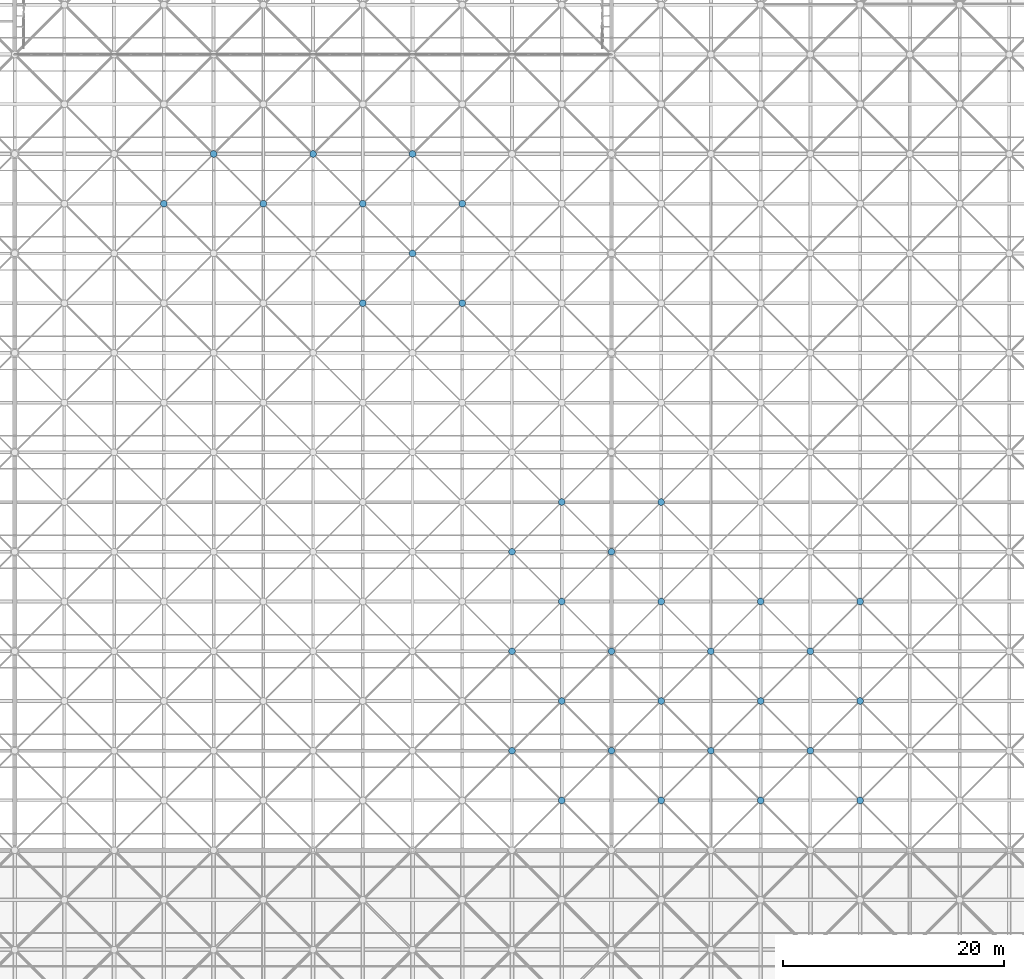
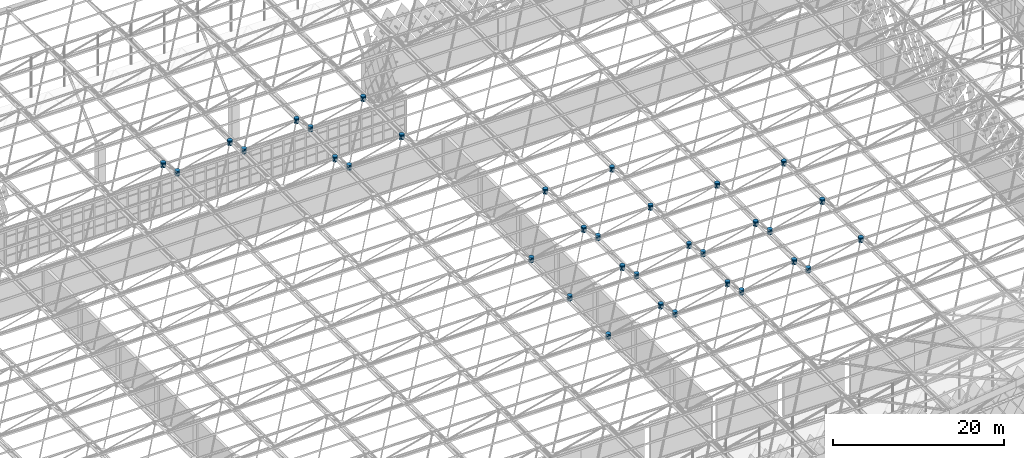
# One storey, part 311 of 437: 34 discrete accessories.
"""IFC4 building model written with IfcOpenShell, lengths in metres."""

import ifcopenshell
import ifcopenshell.guid

model = None  # the IFC model being written
_history = None  # IfcOwnerHistory: only IFC2X3 demands one
_inside = {}  # id of a spatial element -> (the spatial element, [elements in it])
_under = {}  # id of a project, library or spatial element -> (it, [spatial elements below it])
_declared = {}  # id of a project -> (the project, [libraries it declares])
_typed = {}  # id of a type object -> (the type object, [elements of that type])
_made_of = {}  # id of a material, layer set ... -> (it, [elements and type objects made of it])


def new_model(schema):
    """Start an empty IFC model of exactly this schema.

    Asked for "IFC4X3", IfcOpenShell would pick the latest addendum, in which some entities
    have other attributes; the version numbers below select the first issue.
    IFC2X3 requires an IfcOwnerHistory on every rooted entity: one is made here for all.
    """
    global model, _history
    if schema == "IFC4X3":
        model = ifcopenshell.file(schema_version=(4, 3, 0, 0))
    else:
        model = ifcopenshell.file(schema=schema)
    _inside.clear()
    _under.clear()
    _declared.clear()
    _typed.clear()
    _made_of.clear()
    _history = None
    if model.schema == "IFC2X3":
        org = make("IfcOrganization", Name="unknown")
        user = make(
            "IfcPersonAndOrganization",
            ThePerson=make("IfcPerson", FamilyName="unknown"),
            TheOrganization=org,
        )
        app = make(
            "IfcApplication",
            ApplicationDeveloper=org,
            Version="unknown",
            ApplicationFullName="unknown",
            ApplicationIdentifier="unknown",
        )
        _history = make(
            "IfcOwnerHistory",
            OwningUser=user,
            OwningApplication=app,
            ChangeAction="ADDED",
            CreationDate=0,
        )
    return model


def make(cls, **values):
    """One entity of the class cls with the attributes given. An attribute that is None is left unset."""
    return model.create_entity(
        cls, **{name: value for name, value in values.items() if value is not None}
    )


def rooted(cls, **values):
    """An entity with a GlobalId (a new one), such as an element, a storey or a relation."""
    return make(cls, GlobalId=ifcopenshell.guid.new(), OwnerHistory=_history, **values)


def si_unit(unit_type, name, prefix=None):
    """IfcSIUnit, for example si_unit("LENGTHUNIT", "METRE", prefix="MILLI")."""
    return make("IfcSIUnit", UnitType=unit_type, Prefix=prefix, Name=name)


def assignment(units):
    """IfcUnitAssignment: the units of a project."""
    return None if units is None else make("IfcUnitAssignment", Units=units)


def point(xyz):
    """IfcCartesianPoint."""
    return None if xyz is None else make("IfcCartesianPoint", Coordinates=xyz)


def direction(xyz):
    """IfcDirection."""
    return None if xyz is None else make("IfcDirection", DirectionRatios=xyz)


def frame(location, z_axis=None, x_axis=None):
    """IfcAxis2Placement3D, a coordinate frame: its origin and axes. An axis left out is left unset."""
    return make(
        "IfcAxis2Placement3D",
        Location=point(location),
        Axis=direction(z_axis),
        RefDirection=direction(x_axis),
    )


def origin():
    """The frame at (0, 0, 0) with its axes left unset."""
    return frame((0.0, 0.0, 0.0))


def place(relative_to, where):
    """IfcLocalPlacement: puts the frame where relative to a parent placement (None: the world)."""
    return make(
        "IfcLocalPlacement", PlacementRelTo=relative_to, RelativePlacement=where
    )


def context(
    kind, dimensions, precision=None, world=None, true_north=None, identifier=None
):
    """IfcGeometricRepresentationContext, for example the 3D "Model" context."""
    return make(
        "IfcGeometricRepresentationContext",
        ContextIdentifier=identifier,
        ContextType=kind,
        CoordinateSpaceDimension=dimensions,
        Precision=precision,
        WorldCoordinateSystem=world,
        TrueNorth=true_north,
    )


def subcontext(parent, identifier, kind, view, scale=None):
    """IfcGeometricRepresentationSubContext, for example "Body" below "Model"."""
    return make(
        "IfcGeometricRepresentationSubContext",
        ContextIdentifier=identifier,
        ContextType=kind,
        ParentContext=parent,
        TargetScale=scale,
        TargetView=view,
    )


def project(units=None, contexts=None):
    """IfcProject with its units and contexts."""
    return rooted(
        "IfcProject",
        Name="project",
        RepresentationContexts=contexts,
        UnitsInContext=assignment(units),
    )


def spatial(cls, under=None, at=None, **own):
    """A site, building, storey or space (cls), placed at a placement, below another one or the project."""
    s = rooted(cls, ObjectPlacement=at, **own)
    if under is not None:
        _under.setdefault(under.id(), (under, []))[1].append(s)
    return s


def polyline(points):
    """IfcPolyline through the points."""
    return make("IfcPolyline", Points=[point(p) for p in points])


def outline(outer, holes=None, kind="AREA"):
    """IfcArbitraryClosedProfileDef: a profile drawn as a closed curve; with holes, ...WithVoids."""
    if holes is None:
        return make("IfcArbitraryClosedProfileDef", ProfileType=kind, OuterCurve=outer)
    return make(
        "IfcArbitraryProfileDefWithVoids",
        ProfileType=kind,
        OuterCurve=outer,
        InnerCurves=holes,
    )


def extrude(swept, where, along, depth):
    """IfcExtrudedAreaSolid: the profile swept, set in the frame where, extruded along a direction by depth."""
    return make(
        "IfcExtrudedAreaSolid",
        SweptArea=swept,
        Position=where,
        ExtrudedDirection=direction(along),
        Depth=depth,
    )


def shape(context_of_items, identifier, shape_type, items):
    """IfcShapeRepresentation: the items that make up one representation, for example the "Body"."""
    return make(
        "IfcShapeRepresentation",
        ContextOfItems=context_of_items,
        RepresentationIdentifier=identifier,
        RepresentationType=shape_type,
        Items=items,
    )


def material(Name=None, Category=None):
    """IfcMaterial."""
    return make("IfcMaterial", Name=Name, Category=Category)


def made_of(thing, what):
    """Note that an element or type object is made of a material, layer set ...; save() writes the relation."""
    if what is not None:
        _made_of.setdefault(what.id(), (what, []))[1].append(thing)
    return thing


def type_object(cls, material=None, **own):
    """A type object (cls), such as IfcWallType, which elements share."""
    return made_of(rooted(cls, **own), material)


def element(
    cls,
    number,
    at=None,
    inside=None,
    cuts=None,
    type_object=None,
    material=None,
    context=None,
    identifier="Body",
    shape_type=None,
    held_by="IfcProductDefinitionShape",
    body=None,
    shapes=None,
    **own,
):
    """One element of the class cls, such as IfcWall. Its Tag is "e" and its number.

    at: its placement. inside: the storey or other place that contains it. cuts: it is an
    opening in that element (IfcRelVoidsElement). A single representation is given by context,
    identifier, shape_type and body (its items); several are given by shapes. held_by: the class
    of the entity that holds the representations. save() writes the other relations.
    """
    e = rooted(cls, Tag="e%d" % number, ObjectPlacement=at, **own)
    if body is not None:
        shapes = [shape(context, identifier, shape_type, body)]
    if shapes is not None:
        e.Representation = make(held_by, Representations=shapes)
    if inside is not None:
        _inside.setdefault(inside.id(), (inside, []))[1].append(e)
    if cuts is not None:
        rooted(
            "IfcRelVoidsElement", RelatingBuildingElement=cuts, RelatedOpeningElement=e
        )
    if type_object is not None:
        _typed.setdefault(type_object.id(), (type_object, []))[1].append(e)
    return made_of(e, material)


def aggregate(whole, parts):
    """IfcRelAggregates: a whole, such as a stair, and the parts it consists of."""
    return rooted("IfcRelAggregates", RelatingObject=whole, RelatedObjects=parts)


def save(model, path):
    """Write the relations noted so far, then the file.

    IfcRelAggregates (storeys below a building ...), IfcRelContainedInSpatialStructure (elements
    in a storey), IfcRelDefinesByType, IfcRelAssociatesMaterial and IfcRelDeclares: one each for
    every whole, place, type object, material and project.
    """
    for whole, parts in _under.values():
        aggregate(whole, parts)
    for where, things in _inside.values():
        rooted(
            "IfcRelContainedInSpatialStructure",
            RelatedElements=things,
            RelatingStructure=where,
        )
    for kind, things in _typed.values():
        rooted("IfcRelDefinesByType", RelatedObjects=things, RelatingType=kind)
    for what, things in _made_of.values():
        rooted("IfcRelAssociatesMaterial", RelatedObjects=things, RelatingMaterial=what)
    for by, libraries in _declared.values():
        rooted("IfcRelDeclares", RelatingContext=by, RelatedDefinitions=libraries)
    model.write(path)


model = new_model("IFC4")

# Units and contexts
model_context = context("Model", 3, precision=1e-05, world=origin(), true_north=direction((0.0, 1.0)))
body_context = subcontext(model_context, "Body", "Model", "MODEL_VIEW")
ifc_project = project(units=[si_unit("LENGTHUNIT", "METRE"), si_unit("AREAUNIT", "SQUARE_METRE"), si_unit("VOLUMEUNIT", "CUBIC_METRE"), si_unit("PLANEANGLEUNIT", "RADIAN"), si_unit("MASSUNIT", "GRAM", prefix="KILO")], contexts=[model_context])

# Site, building, storey
site_placement = place(None, origin())
site = spatial("IfcSite", under=ifc_project, at=site_placement, CompositionType="ELEMENT")
building_placement = place(site_placement, origin())
building = spatial("IfcBuilding", under=site, at=building_placement, Name="Opaline Strait Convention Centre", CompositionType="ELEMENT")
storey_placement = place(building_placement, frame((0.0, 0.0, 11.5)))
storey = spatial("IfcBuildingStorey", under=building, at=storey_placement, Name="L02", CompositionType="ELEMENT", Elevation=11.5)

# Discrete accessories
ifc_material = material(Name="Cast steel ZG300-500H (300 MPa)", Category="steel")
discrete_accessory_type = type_object("IfcDiscreteAccessoryType", Name="Space frame node hub D600", PredefinedType="USERDEFINED", material=ifc_material)
discrete_accessory_1_placement = place(storey_placement, frame((0.0, 0.0, 17.611572265625)))
element("IfcDiscreteAccessory", 1, at=discrete_accessory_1_placement, inside=storey, type_object=discrete_accessory_type, Name="Top node 10/11", ObjectType="NODE HUB", PredefinedType="USERDEFINED", context=body_context, shape_type="SweptSolid", body=[
    extrude(outline(polyline([(166.800048828125, 130.559814453125), (166.75439453125, 130.669921875), (166.669921875, 130.75439453125), (166.559814453125, 130.800048828125), (166.440185546875, 130.800048828125), (166.330078125, 130.75439453125), (166.24560546875, 130.669921875), (166.199951171875, 130.559814453125), (166.199951171875, 130.440185546875), (166.24560546875, 130.330078125), (166.330078125, 130.24560546875), (166.440185546875, 130.199951171875), (166.559814453125, 130.199951171875), (166.669921875, 130.24560546875), (166.75439453125, 130.330078125), (166.800048828125, 130.440185546875), (166.800048828125, 130.559814453125)])), origin(), (0.0, 0.0, 1.0), 0.719970703125),
])
discrete_accessory_2_placement = place(storey_placement, frame((0.0, 0.0, 17.611572265625)))
element("IfcDiscreteAccessory", 2, at=discrete_accessory_2_placement, inside=storey, type_object=discrete_accessory_type, Name="Top node 11/11", ObjectType="NODE HUB", PredefinedType="USERDEFINED", context=body_context, shape_type="SweptSolid", body=[
    extrude(outline(polyline([(175.800048828125, 130.559814453125), (175.75439453125, 130.669921875), (175.669921875, 130.75439453125), (175.559814453125, 130.800048828125), (175.440185546875, 130.800048828125), (175.330078125, 130.75439453125), (175.24560546875, 130.669921875), (175.199951171875, 130.559814453125), (175.199951171875, 130.440185546875), (175.24560546875, 130.330078125), (175.330078125, 130.24560546875), (175.440185546875, 130.199951171875), (175.559814453125, 130.199951171875), (175.669921875, 130.24560546875), (175.75439453125, 130.330078125), (175.800048828125, 130.440185546875), (175.800048828125, 130.559814453125)])), origin(), (0.0, 0.0, 1.0), 0.719970703125),
])
discrete_accessory_3_placement = place(storey_placement, frame((0.0, 0.0, 17.611572265625)))
element("IfcDiscreteAccessory", 3, at=discrete_accessory_3_placement, inside=storey, type_object=discrete_accessory_type, Name="Top node 12/10", ObjectType="NODE HUB", PredefinedType="USERDEFINED", context=body_context, shape_type="SweptSolid", body=[
    extrude(outline(polyline([(184.800048828125, 121.559814453125), (184.75439453125, 121.669921875), (184.669921875, 121.75439453125), (184.559814453125, 121.800048828125), (184.440185546875, 121.800048828125), (184.330078125, 121.75439453125), (184.24560546875, 121.669921875), (184.199951171875, 121.559814453125), (184.199951171875, 121.440185546875), (184.24560546875, 121.330078125), (184.330078125, 121.24560546875), (184.440185546875, 121.199951171875), (184.559814453125, 121.199951171875), (184.669921875, 121.24560546875), (184.75439453125, 121.330078125), (184.800048828125, 121.440185546875), (184.800048828125, 121.559814453125)])), origin(), (0.0, 0.0, 1.0), 0.719970703125),
])
discrete_accessory_4_placement = place(storey_placement, frame((0.0, 0.0, 17.611572265625)))
element("IfcDiscreteAccessory", 4, at=discrete_accessory_4_placement, inside=storey, type_object=discrete_accessory_type, Name="Top node 12/11", ObjectType="NODE HUB", PredefinedType="USERDEFINED", context=body_context, shape_type="SweptSolid", body=[
    extrude(outline(polyline([(184.800048828125, 130.559814453125), (184.75439453125, 130.669921875), (184.669921875, 130.75439453125), (184.559814453125, 130.800048828125), (184.440185546875, 130.800048828125), (184.330078125, 130.75439453125), (184.24560546875, 130.669921875), (184.199951171875, 130.559814453125), (184.199951171875, 130.440185546875), (184.24560546875, 130.330078125), (184.330078125, 130.24560546875), (184.440185546875, 130.199951171875), (184.559814453125, 130.199951171875), (184.669921875, 130.24560546875), (184.75439453125, 130.330078125), (184.800048828125, 130.440185546875), (184.800048828125, 130.559814453125)])), origin(), (0.0, 0.0, 1.0), 0.719970703125),
])
discrete_accessory_5_placement = place(storey_placement, frame((0.0, 0.0, 17.611572265625)))
element("IfcDiscreteAccessory", 5, at=discrete_accessory_5_placement, inside=storey, type_object=discrete_accessory_type, Name="Top node 13/10", ObjectType="NODE HUB", PredefinedType="USERDEFINED", context=body_context, shape_type="SweptSolid", body=[
    extrude(outline(polyline([(193.800048828125, 121.559814453125), (193.75439453125, 121.669921875), (193.669921875, 121.75439453125), (193.559814453125, 121.800048828125), (193.440185546875, 121.800048828125), (193.330078125, 121.75439453125), (193.24560546875, 121.669921875), (193.199951171875, 121.559814453125), (193.199951171875, 121.440185546875), (193.24560546875, 121.330078125), (193.330078125, 121.24560546875), (193.440185546875, 121.199951171875), (193.559814453125, 121.199951171875), (193.669921875, 121.24560546875), (193.75439453125, 121.330078125), (193.800048828125, 121.440185546875), (193.800048828125, 121.559814453125)])), origin(), (0.0, 0.0, 1.0), 0.719970703125),
])
discrete_accessory_6_placement = place(storey_placement, frame((0.0, 0.0, 17.611572265625)))
element("IfcDiscreteAccessory", 6, at=discrete_accessory_6_placement, inside=storey, type_object=discrete_accessory_type, Name="Top node 13/11", ObjectType="NODE HUB", PredefinedType="USERDEFINED", context=body_context, shape_type="SweptSolid", body=[
    extrude(outline(polyline([(193.800048828125, 130.559814453125), (193.75439453125, 130.669921875), (193.669921875, 130.75439453125), (193.559814453125, 130.800048828125), (193.440185546875, 130.800048828125), (193.330078125, 130.75439453125), (193.24560546875, 130.669921875), (193.199951171875, 130.559814453125), (193.199951171875, 130.440185546875), (193.24560546875, 130.330078125), (193.330078125, 130.24560546875), (193.440185546875, 130.199951171875), (193.559814453125, 130.199951171875), (193.669921875, 130.24560546875), (193.75439453125, 130.330078125), (193.800048828125, 130.440185546875), (193.800048828125, 130.559814453125)])), origin(), (0.0, 0.0, 1.0), 0.719970703125),
])
discrete_accessory_7_placement = place(storey_placement, frame((0.0, 0.0, 17.611572265625)))
element("IfcDiscreteAccessory", 7, at=discrete_accessory_7_placement, inside=storey, type_object=discrete_accessory_type, Name="Top node 14/5", ObjectType="NODE HUB", PredefinedType="USERDEFINED", context=body_context, shape_type="SweptSolid", body=[
    extrude(outline(polyline([(202.800048828125, 76.559814453125), (202.75439453125, 76.669921875), (202.669921875, 76.75439453125), (202.559814453125, 76.800048828125), (202.440185546875, 76.800048828125), (202.330078125, 76.75439453125), (202.24560546875, 76.669921875), (202.199951171875, 76.559814453125), (202.199951171875, 76.440185546875), (202.24560546875, 76.330078125), (202.330078125, 76.24560546875), (202.440185546875, 76.199951171875), (202.559814453125, 76.199951171875), (202.669921875, 76.24560546875), (202.75439453125, 76.330078125), (202.800048828125, 76.440185546875), (202.800048828125, 76.559814453125)])), origin(), (0.0, 0.0, 1.0), 0.719970703125),
])
discrete_accessory_8_placement = place(storey_placement, frame((0.0, 0.0, 17.611572265625)))
element("IfcDiscreteAccessory", 8, at=discrete_accessory_8_placement, inside=storey, type_object=discrete_accessory_type, Name="Top node 14/6", ObjectType="NODE HUB", PredefinedType="USERDEFINED", context=body_context, shape_type="SweptSolid", body=[
    extrude(outline(polyline([(202.800048828125, 85.559814453125), (202.75439453125, 85.669921875), (202.669921875, 85.75439453125), (202.559814453125, 85.800048828125), (202.440185546875, 85.800048828125), (202.330078125, 85.75439453125), (202.24560546875, 85.669921875), (202.199951171875, 85.559814453125), (202.199951171875, 85.440185546875), (202.24560546875, 85.330078125), (202.330078125, 85.24560546875), (202.440185546875, 85.199951171875), (202.559814453125, 85.199951171875), (202.669921875, 85.24560546875), (202.75439453125, 85.330078125), (202.800048828125, 85.440185546875), (202.800048828125, 85.559814453125)])), origin(), (0.0, 0.0, 1.0), 0.719970703125),
])
discrete_accessory_9_placement = place(storey_placement, frame((0.0, 0.0, 17.611572265625)))
element("IfcDiscreteAccessory", 9, at=discrete_accessory_9_placement, inside=storey, type_object=discrete_accessory_type, Name="Top node 14/7", ObjectType="NODE HUB", PredefinedType="USERDEFINED", context=body_context, shape_type="SweptSolid", body=[
    extrude(outline(polyline([(202.800048828125, 94.559814453125), (202.75439453125, 94.669921875), (202.669921875, 94.75439453125), (202.559814453125, 94.800048828125), (202.440185546875, 94.800048828125), (202.330078125, 94.75439453125), (202.24560546875, 94.669921875), (202.199951171875, 94.559814453125), (202.199951171875, 94.440185546875), (202.24560546875, 94.330078125), (202.330078125, 94.24560546875), (202.440185546875, 94.199951171875), (202.559814453125, 94.199951171875), (202.669921875, 94.24560546875), (202.75439453125, 94.330078125), (202.800048828125, 94.440185546875), (202.800048828125, 94.559814453125)])), origin(), (0.0, 0.0, 1.0), 0.719970703125),
])
discrete_accessory_10_placement = place(storey_placement, frame((0.0, 0.0, 17.611572265625)))
element("IfcDiscreteAccessory", 10, at=discrete_accessory_10_placement, inside=storey, type_object=discrete_accessory_type, Name="Top node 14/8", ObjectType="NODE HUB", PredefinedType="USERDEFINED", context=body_context, shape_type="SweptSolid", body=[
    extrude(outline(polyline([(202.800048828125, 103.559814453125), (202.75439453125, 103.669921875), (202.669921875, 103.75439453125), (202.559814453125, 103.800048828125), (202.440185546875, 103.800048828125), (202.330078125, 103.75439453125), (202.24560546875, 103.669921875), (202.199951171875, 103.559814453125), (202.199951171875, 103.440185546875), (202.24560546875, 103.330078125), (202.330078125, 103.24560546875), (202.440185546875, 103.199951171875), (202.559814453125, 103.199951171875), (202.669921875, 103.24560546875), (202.75439453125, 103.330078125), (202.800048828125, 103.440185546875), (202.800048828125, 103.559814453125)])), origin(), (0.0, 0.0, 1.0), 0.719970703125),
])
discrete_accessory_11_placement = place(storey_placement, frame((0.0, 0.0, 17.611572265625)))
element("IfcDiscreteAccessory", 11, at=discrete_accessory_11_placement, inside=storey, type_object=discrete_accessory_type, Name="Top node 15/5", ObjectType="NODE HUB", PredefinedType="USERDEFINED", context=body_context, shape_type="SweptSolid", body=[
    extrude(outline(polyline([(211.800048828125, 76.559814453125), (211.75439453125, 76.669921875), (211.669921875, 76.75439453125), (211.559814453125, 76.800048828125), (211.440185546875, 76.800048828125), (211.330078125, 76.75439453125), (211.24560546875, 76.669921875), (211.199951171875, 76.559814453125), (211.199951171875, 76.440185546875), (211.24560546875, 76.330078125), (211.330078125, 76.24560546875), (211.440185546875, 76.199951171875), (211.559814453125, 76.199951171875), (211.669921875, 76.24560546875), (211.75439453125, 76.330078125), (211.800048828125, 76.440185546875), (211.800048828125, 76.559814453125)])), origin(), (0.0, 0.0, 1.0), 0.719970703125),
])
discrete_accessory_12_placement = place(storey_placement, frame((0.0, 0.0, 17.611572265625)))
element("IfcDiscreteAccessory", 12, at=discrete_accessory_12_placement, inside=storey, type_object=discrete_accessory_type, Name="Top node 15/6", ObjectType="NODE HUB", PredefinedType="USERDEFINED", context=body_context, shape_type="SweptSolid", body=[
    extrude(outline(polyline([(211.800048828125, 85.559814453125), (211.75439453125, 85.669921875), (211.669921875, 85.75439453125), (211.559814453125, 85.800048828125), (211.440185546875, 85.800048828125), (211.330078125, 85.75439453125), (211.24560546875, 85.669921875), (211.199951171875, 85.559814453125), (211.199951171875, 85.440185546875), (211.24560546875, 85.330078125), (211.330078125, 85.24560546875), (211.440185546875, 85.199951171875), (211.559814453125, 85.199951171875), (211.669921875, 85.24560546875), (211.75439453125, 85.330078125), (211.800048828125, 85.440185546875), (211.800048828125, 85.559814453125)])), origin(), (0.0, 0.0, 1.0), 0.719970703125),
])
discrete_accessory_13_placement = place(storey_placement, frame((0.0, 0.0, 17.611572265625)))
element("IfcDiscreteAccessory", 13, at=discrete_accessory_13_placement, inside=storey, type_object=discrete_accessory_type, Name="Top node 15/7", ObjectType="NODE HUB", PredefinedType="USERDEFINED", context=body_context, shape_type="SweptSolid", body=[
    extrude(outline(polyline([(211.800048828125, 94.559814453125), (211.75439453125, 94.669921875), (211.669921875, 94.75439453125), (211.559814453125, 94.800048828125), (211.440185546875, 94.800048828125), (211.330078125, 94.75439453125), (211.24560546875, 94.669921875), (211.199951171875, 94.559814453125), (211.199951171875, 94.440185546875), (211.24560546875, 94.330078125), (211.330078125, 94.24560546875), (211.440185546875, 94.199951171875), (211.559814453125, 94.199951171875), (211.669921875, 94.24560546875), (211.75439453125, 94.330078125), (211.800048828125, 94.440185546875), (211.800048828125, 94.559814453125)])), origin(), (0.0, 0.0, 1.0), 0.719970703125),
])
discrete_accessory_14_placement = place(storey_placement, frame((0.0, 0.0, 17.611572265625)))
element("IfcDiscreteAccessory", 14, at=discrete_accessory_14_placement, inside=storey, type_object=discrete_accessory_type, Name="Top node 15/8", ObjectType="NODE HUB", PredefinedType="USERDEFINED", context=body_context, shape_type="SweptSolid", body=[
    extrude(outline(polyline([(211.800048828125, 103.559814453125), (211.75439453125, 103.669921875), (211.669921875, 103.75439453125), (211.559814453125, 103.800048828125), (211.440185546875, 103.800048828125), (211.330078125, 103.75439453125), (211.24560546875, 103.669921875), (211.199951171875, 103.559814453125), (211.199951171875, 103.440185546875), (211.24560546875, 103.330078125), (211.330078125, 103.24560546875), (211.440185546875, 103.199951171875), (211.559814453125, 103.199951171875), (211.669921875, 103.24560546875), (211.75439453125, 103.330078125), (211.800048828125, 103.440185546875), (211.800048828125, 103.559814453125)])), origin(), (0.0, 0.0, 1.0), 0.719970703125),
])
discrete_accessory_15_placement = place(storey_placement, frame((0.0, 0.0, 17.611572265625)))
element("IfcDiscreteAccessory", 15, at=discrete_accessory_15_placement, inside=storey, type_object=discrete_accessory_type, Name="Top node 16/5", ObjectType="NODE HUB", PredefinedType="USERDEFINED", context=body_context, shape_type="SweptSolid", body=[
    extrude(outline(polyline([(220.800048828125, 76.559814453125), (220.75439453125, 76.669921875), (220.669921875, 76.75439453125), (220.559814453125, 76.800048828125), (220.440185546875, 76.800048828125), (220.330078125, 76.75439453125), (220.24560546875, 76.669921875), (220.199951171875, 76.559814453125), (220.199951171875, 76.440185546875), (220.24560546875, 76.330078125), (220.330078125, 76.24560546875), (220.440185546875, 76.199951171875), (220.559814453125, 76.199951171875), (220.669921875, 76.24560546875), (220.75439453125, 76.330078125), (220.800048828125, 76.440185546875), (220.800048828125, 76.559814453125)])), origin(), (0.0, 0.0, 1.0), 0.719970703125),
])
discrete_accessory_16_placement = place(storey_placement, frame((0.0, 0.0, 17.611572265625)))
element("IfcDiscreteAccessory", 16, at=discrete_accessory_16_placement, inside=storey, type_object=discrete_accessory_type, Name="Top node 16/6", ObjectType="NODE HUB", PredefinedType="USERDEFINED", context=body_context, shape_type="SweptSolid", body=[
    extrude(outline(polyline([(220.800048828125, 85.559814453125), (220.75439453125, 85.669921875), (220.669921875, 85.75439453125), (220.559814453125, 85.800048828125), (220.440185546875, 85.800048828125), (220.330078125, 85.75439453125), (220.24560546875, 85.669921875), (220.199951171875, 85.559814453125), (220.199951171875, 85.440185546875), (220.24560546875, 85.330078125), (220.330078125, 85.24560546875), (220.440185546875, 85.199951171875), (220.559814453125, 85.199951171875), (220.669921875, 85.24560546875), (220.75439453125, 85.330078125), (220.800048828125, 85.440185546875), (220.800048828125, 85.559814453125)])), origin(), (0.0, 0.0, 1.0), 0.719970703125),
])
discrete_accessory_17_placement = place(storey_placement, frame((0.0, 0.0, 17.611572265625)))
element("IfcDiscreteAccessory", 17, at=discrete_accessory_17_placement, inside=storey, type_object=discrete_accessory_type, Name="Top node 16/7", ObjectType="NODE HUB", PredefinedType="USERDEFINED", context=body_context, shape_type="SweptSolid", body=[
    extrude(outline(polyline([(220.800048828125, 94.559814453125), (220.75439453125, 94.669921875), (220.669921875, 94.75439453125), (220.559814453125, 94.800048828125), (220.440185546875, 94.800048828125), (220.330078125, 94.75439453125), (220.24560546875, 94.669921875), (220.199951171875, 94.559814453125), (220.199951171875, 94.440185546875), (220.24560546875, 94.330078125), (220.330078125, 94.24560546875), (220.440185546875, 94.199951171875), (220.559814453125, 94.199951171875), (220.669921875, 94.24560546875), (220.75439453125, 94.330078125), (220.800048828125, 94.440185546875), (220.800048828125, 94.559814453125)])), origin(), (0.0, 0.0, 1.0), 0.719970703125),
])
discrete_accessory_18_placement = place(storey_placement, frame((0.0, 0.0, 17.611572265625)))
element("IfcDiscreteAccessory", 18, at=discrete_accessory_18_placement, inside=storey, type_object=discrete_accessory_type, Name="Top node 17/5", ObjectType="NODE HUB", PredefinedType="USERDEFINED", context=body_context, shape_type="SweptSolid", body=[
    extrude(outline(polyline([(229.800048828125, 76.559814453125), (229.75439453125, 76.669921875), (229.669921875, 76.75439453125), (229.559814453125, 76.800048828125), (229.440185546875, 76.800048828125), (229.330078125, 76.75439453125), (229.24560546875, 76.669921875), (229.199951171875, 76.559814453125), (229.199951171875, 76.440185546875), (229.24560546875, 76.330078125), (229.330078125, 76.24560546875), (229.440185546875, 76.199951171875), (229.559814453125, 76.199951171875), (229.669921875, 76.24560546875), (229.75439453125, 76.330078125), (229.800048828125, 76.440185546875), (229.800048828125, 76.559814453125)])), origin(), (0.0, 0.0, 1.0), 0.719970703125),
])
discrete_accessory_19_placement = place(storey_placement, frame((0.0, 0.0, 17.611572265625)))
element("IfcDiscreteAccessory", 19, at=discrete_accessory_19_placement, inside=storey, type_object=discrete_accessory_type, Name="Top node 17/6", ObjectType="NODE HUB", PredefinedType="USERDEFINED", context=body_context, shape_type="SweptSolid", body=[
    extrude(outline(polyline([(229.800048828125, 85.559814453125), (229.75439453125, 85.669921875), (229.669921875, 85.75439453125), (229.559814453125, 85.800048828125), (229.440185546875, 85.800048828125), (229.330078125, 85.75439453125), (229.24560546875, 85.669921875), (229.199951171875, 85.559814453125), (229.199951171875, 85.440185546875), (229.24560546875, 85.330078125), (229.330078125, 85.24560546875), (229.440185546875, 85.199951171875), (229.559814453125, 85.199951171875), (229.669921875, 85.24560546875), (229.75439453125, 85.330078125), (229.800048828125, 85.440185546875), (229.800048828125, 85.559814453125)])), origin(), (0.0, 0.0, 1.0), 0.719970703125),
])
discrete_accessory_20_placement = place(storey_placement, frame((0.0, 0.0, 17.611572265625)))
element("IfcDiscreteAccessory", 20, at=discrete_accessory_20_placement, inside=storey, type_object=discrete_accessory_type, Name="Top node 17/7", ObjectType="NODE HUB", PredefinedType="USERDEFINED", context=body_context, shape_type="SweptSolid", body=[
    extrude(outline(polyline([(229.800048828125, 94.559814453125), (229.75439453125, 94.669921875), (229.669921875, 94.75439453125), (229.559814453125, 94.800048828125), (229.440185546875, 94.800048828125), (229.330078125, 94.75439453125), (229.24560546875, 94.669921875), (229.199951171875, 94.559814453125), (229.199951171875, 94.440185546875), (229.24560546875, 94.330078125), (229.330078125, 94.24560546875), (229.440185546875, 94.199951171875), (229.559814453125, 94.199951171875), (229.669921875, 94.24560546875), (229.75439453125, 94.330078125), (229.800048828125, 94.440185546875), (229.800048828125, 94.559814453125)])), origin(), (0.0, 0.0, 1.0), 0.719970703125),
])
discrete_accessory_21_placement = place(storey_placement, frame((0.0, 0.0, 12.139892578125)))
element("IfcDiscreteAccessory", 21, at=discrete_accessory_21_placement, inside=storey, type_object=discrete_accessory_type, Name="Bottom node 10/11", ObjectType="NODE HUB", PredefinedType="USERDEFINED", context=body_context, shape_type="SweptSolid", body=[
    extrude(outline(polyline([(171.300048828125, 135.059814453125), (171.25439453125, 135.169921875), (171.169921875, 135.25439453125), (171.059814453125, 135.300048828125), (170.940185546875, 135.300048828125), (170.830078125, 135.25439453125), (170.74560546875, 135.169921875), (170.699951171875, 135.059814453125), (170.699951171875, 134.940185546875), (170.74560546875, 134.830078125), (170.830078125, 134.74560546875), (170.940185546875, 134.699951171875), (171.059814453125, 134.699951171875), (171.169921875, 134.74560546875), (171.25439453125, 134.830078125), (171.300048828125, 134.940185546875), (171.300048828125, 135.059814453125)])), origin(), (0.0, 0.0, 1.0), 0.72021484375),
])
discrete_accessory_22_placement = place(storey_placement, frame((0.0, 0.0, 12.139892578125)))
element("IfcDiscreteAccessory", 22, at=discrete_accessory_22_placement, inside=storey, type_object=discrete_accessory_type, Name="Bottom node 11/11", ObjectType="NODE HUB", PredefinedType="USERDEFINED", context=body_context, shape_type="SweptSolid", body=[
    extrude(outline(polyline([(180.300048828125, 135.059814453125), (180.25439453125, 135.169921875), (180.169921875, 135.25439453125), (180.059814453125, 135.300048828125), (179.940185546875, 135.300048828125), (179.830078125, 135.25439453125), (179.74560546875, 135.169921875), (179.699951171875, 135.059814453125), (179.699951171875, 134.940185546875), (179.74560546875, 134.830078125), (179.830078125, 134.74560546875), (179.940185546875, 134.699951171875), (180.059814453125, 134.699951171875), (180.169921875, 134.74560546875), (180.25439453125, 134.830078125), (180.300048828125, 134.940185546875), (180.300048828125, 135.059814453125)])), origin(), (0.0, 0.0, 1.0), 0.72021484375),
])
discrete_accessory_23_placement = place(storey_placement, frame((0.0, 0.0, 12.139892578125)))
element("IfcDiscreteAccessory", 23, at=discrete_accessory_23_placement, inside=storey, type_object=discrete_accessory_type, Name="Bottom node 12/10", ObjectType="NODE HUB", PredefinedType="USERDEFINED", context=body_context, shape_type="SweptSolid", body=[
    extrude(outline(polyline([(189.300048828125, 126.059814453125), (189.25439453125, 126.169921875), (189.169921875, 126.25439453125), (189.059814453125, 126.300048828125), (188.940185546875, 126.300048828125), (188.830078125, 126.25439453125), (188.74560546875, 126.169921875), (188.699951171875, 126.059814453125), (188.699951171875, 125.940185546875), (188.74560546875, 125.830078125), (188.830078125, 125.74560546875), (188.940185546875, 125.699951171875), (189.059814453125, 125.699951171875), (189.169921875, 125.74560546875), (189.25439453125, 125.830078125), (189.300048828125, 125.940185546875), (189.300048828125, 126.059814453125)])), origin(), (0.0, 0.0, 1.0), 0.72021484375),
])
discrete_accessory_24_placement = place(storey_placement, frame((0.0, 0.0, 12.139892578125)))
element("IfcDiscreteAccessory", 24, at=discrete_accessory_24_placement, inside=storey, type_object=discrete_accessory_type, Name="Bottom node 12/11", ObjectType="NODE HUB", PredefinedType="USERDEFINED", context=body_context, shape_type="SweptSolid", body=[
    extrude(outline(polyline([(189.300048828125, 135.059814453125), (189.25439453125, 135.169921875), (189.169921875, 135.25439453125), (189.059814453125, 135.300048828125), (188.940185546875, 135.300048828125), (188.830078125, 135.25439453125), (188.74560546875, 135.169921875), (188.699951171875, 135.059814453125), (188.699951171875, 134.940185546875), (188.74560546875, 134.830078125), (188.830078125, 134.74560546875), (188.940185546875, 134.699951171875), (189.059814453125, 134.699951171875), (189.169921875, 134.74560546875), (189.25439453125, 134.830078125), (189.300048828125, 134.940185546875), (189.300048828125, 135.059814453125)])), origin(), (0.0, 0.0, 1.0), 0.72021484375),
])
discrete_accessory_25_placement = place(storey_placement, frame((0.0, 0.0, 12.139892578125)))
element("IfcDiscreteAccessory", 25, at=discrete_accessory_25_placement, inside=storey, type_object=discrete_accessory_type, Name="Bottom node 13/5", ObjectType="NODE HUB", PredefinedType="USERDEFINED", context=body_context, shape_type="SweptSolid", body=[
    extrude(outline(polyline([(198.300048828125, 81.059814453125), (198.25439453125, 81.169921875), (198.169921875, 81.25439453125), (198.059814453125, 81.300048828125), (197.940185546875, 81.300048828125), (197.830078125, 81.25439453125), (197.74560546875, 81.169921875), (197.699951171875, 81.059814453125), (197.699951171875, 80.940185546875), (197.74560546875, 80.830078125), (197.830078125, 80.74560546875), (197.940185546875, 80.699951171875), (198.059814453125, 80.699951171875), (198.169921875, 80.74560546875), (198.25439453125, 80.830078125), (198.300048828125, 80.940185546875), (198.300048828125, 81.059814453125)])), origin(), (0.0, 0.0, 1.0), 0.72021484375),
])
discrete_accessory_26_placement = place(storey_placement, frame((0.0, 0.0, 12.139892578125)))
element("IfcDiscreteAccessory", 26, at=discrete_accessory_26_placement, inside=storey, type_object=discrete_accessory_type, Name="Bottom node 13/6", ObjectType="NODE HUB", PredefinedType="USERDEFINED", context=body_context, shape_type="SweptSolid", body=[
    extrude(outline(polyline([(198.300048828125, 90.059814453125), (198.25439453125, 90.169921875), (198.169921875, 90.25439453125), (198.059814453125, 90.300048828125), (197.940185546875, 90.300048828125), (197.830078125, 90.25439453125), (197.74560546875, 90.169921875), (197.699951171875, 90.059814453125), (197.699951171875, 89.940185546875), (197.74560546875, 89.830078125), (197.830078125, 89.74560546875), (197.940185546875, 89.699951171875), (198.059814453125, 89.699951171875), (198.169921875, 89.74560546875), (198.25439453125, 89.830078125), (198.300048828125, 89.940185546875), (198.300048828125, 90.059814453125)])), origin(), (0.0, 0.0, 1.0), 0.72021484375),
])
discrete_accessory_27_placement = place(storey_placement, frame((0.0, 0.0, 12.139892578125)))
element("IfcDiscreteAccessory", 27, at=discrete_accessory_27_placement, inside=storey, type_object=discrete_accessory_type, Name="Bottom node 13/7", ObjectType="NODE HUB", PredefinedType="USERDEFINED", context=body_context, shape_type="SweptSolid", body=[
    extrude(outline(polyline([(198.300048828125, 99.059814453125), (198.25439453125, 99.169921875), (198.169921875, 99.25439453125), (198.059814453125, 99.300048828125), (197.940185546875, 99.300048828125), (197.830078125, 99.25439453125), (197.74560546875, 99.169921875), (197.699951171875, 99.059814453125), (197.699951171875, 98.940185546875), (197.74560546875, 98.830078125), (197.830078125, 98.74560546875), (197.940185546875, 98.699951171875), (198.059814453125, 98.699951171875), (198.169921875, 98.74560546875), (198.25439453125, 98.830078125), (198.300048828125, 98.940185546875), (198.300048828125, 99.059814453125)])), origin(), (0.0, 0.0, 1.0), 0.72021484375),
])
discrete_accessory_28_placement = place(storey_placement, frame((0.0, 0.0, 12.139892578125)))
element("IfcDiscreteAccessory", 28, at=discrete_accessory_28_placement, inside=storey, type_object=discrete_accessory_type, Name="Bottom node 14/5", ObjectType="NODE HUB", PredefinedType="USERDEFINED", context=body_context, shape_type="SweptSolid", body=[
    extrude(outline(polyline([(207.300048828125, 81.059814453125), (207.25439453125, 81.169921875), (207.169921875, 81.25439453125), (207.059814453125, 81.300048828125), (206.940185546875, 81.300048828125), (206.830078125, 81.25439453125), (206.74560546875, 81.169921875), (206.699951171875, 81.059814453125), (206.699951171875, 80.940185546875), (206.74560546875, 80.830078125), (206.830078125, 80.74560546875), (206.940185546875, 80.699951171875), (207.059814453125, 80.699951171875), (207.169921875, 80.74560546875), (207.25439453125, 80.830078125), (207.300048828125, 80.940185546875), (207.300048828125, 81.059814453125)])), origin(), (0.0, 0.0, 1.0), 0.72021484375),
])
discrete_accessory_29_placement = place(storey_placement, frame((0.0, 0.0, 12.139892578125)))
element("IfcDiscreteAccessory", 29, at=discrete_accessory_29_placement, inside=storey, type_object=discrete_accessory_type, Name="Bottom node 14/6", ObjectType="NODE HUB", PredefinedType="USERDEFINED", context=body_context, shape_type="SweptSolid", body=[
    extrude(outline(polyline([(207.300048828125, 90.059814453125), (207.25439453125, 90.169921875), (207.169921875, 90.25439453125), (207.059814453125, 90.300048828125), (206.940185546875, 90.300048828125), (206.830078125, 90.25439453125), (206.74560546875, 90.169921875), (206.699951171875, 90.059814453125), (206.699951171875, 89.940185546875), (206.74560546875, 89.830078125), (206.830078125, 89.74560546875), (206.940185546875, 89.699951171875), (207.059814453125, 89.699951171875), (207.169921875, 89.74560546875), (207.25439453125, 89.830078125), (207.300048828125, 89.940185546875), (207.300048828125, 90.059814453125)])), origin(), (0.0, 0.0, 1.0), 0.72021484375),
])
discrete_accessory_30_placement = place(storey_placement, frame((0.0, 0.0, 12.139892578125)))
element("IfcDiscreteAccessory", 30, at=discrete_accessory_30_placement, inside=storey, type_object=discrete_accessory_type, Name="Bottom node 14/7", ObjectType="NODE HUB", PredefinedType="USERDEFINED", context=body_context, shape_type="SweptSolid", body=[
    extrude(outline(polyline([(207.300048828125, 99.059814453125), (207.25439453125, 99.169921875), (207.169921875, 99.25439453125), (207.059814453125, 99.300048828125), (206.940185546875, 99.300048828125), (206.830078125, 99.25439453125), (206.74560546875, 99.169921875), (206.699951171875, 99.059814453125), (206.699951171875, 98.940185546875), (206.74560546875, 98.830078125), (206.830078125, 98.74560546875), (206.940185546875, 98.699951171875), (207.059814453125, 98.699951171875), (207.169921875, 98.74560546875), (207.25439453125, 98.830078125), (207.300048828125, 98.940185546875), (207.300048828125, 99.059814453125)])), origin(), (0.0, 0.0, 1.0), 0.72021484375),
])
discrete_accessory_31_placement = place(storey_placement, frame((0.0, 0.0, 12.139892578125)))
element("IfcDiscreteAccessory", 31, at=discrete_accessory_31_placement, inside=storey, type_object=discrete_accessory_type, Name="Bottom node 15/5", ObjectType="NODE HUB", PredefinedType="USERDEFINED", context=body_context, shape_type="SweptSolid", body=[
    extrude(outline(polyline([(216.300048828125, 81.059814453125), (216.25439453125, 81.169921875), (216.169921875, 81.25439453125), (216.059814453125, 81.300048828125), (215.940185546875, 81.300048828125), (215.830078125, 81.25439453125), (215.74560546875, 81.169921875), (215.699951171875, 81.059814453125), (215.699951171875, 80.940185546875), (215.74560546875, 80.830078125), (215.830078125, 80.74560546875), (215.940185546875, 80.699951171875), (216.059814453125, 80.699951171875), (216.169921875, 80.74560546875), (216.25439453125, 80.830078125), (216.300048828125, 80.940185546875), (216.300048828125, 81.059814453125)])), origin(), (0.0, 0.0, 1.0), 0.72021484375),
])
discrete_accessory_32_placement = place(storey_placement, frame((0.0, 0.0, 12.139892578125)))
element("IfcDiscreteAccessory", 32, at=discrete_accessory_32_placement, inside=storey, type_object=discrete_accessory_type, Name="Bottom node 15/6", ObjectType="NODE HUB", PredefinedType="USERDEFINED", context=body_context, shape_type="SweptSolid", body=[
    extrude(outline(polyline([(216.300048828125, 90.059814453125), (216.25439453125, 90.169921875), (216.169921875, 90.25439453125), (216.059814453125, 90.300048828125), (215.940185546875, 90.300048828125), (215.830078125, 90.25439453125), (215.74560546875, 90.169921875), (215.699951171875, 90.059814453125), (215.699951171875, 89.940185546875), (215.74560546875, 89.830078125), (215.830078125, 89.74560546875), (215.940185546875, 89.699951171875), (216.059814453125, 89.699951171875), (216.169921875, 89.74560546875), (216.25439453125, 89.830078125), (216.300048828125, 89.940185546875), (216.300048828125, 90.059814453125)])), origin(), (0.0, 0.0, 1.0), 0.72021484375),
])
discrete_accessory_33_placement = place(storey_placement, frame((0.0, 0.0, 12.139892578125)))
element("IfcDiscreteAccessory", 33, at=discrete_accessory_33_placement, inside=storey, type_object=discrete_accessory_type, Name="Bottom node 16/5", ObjectType="NODE HUB", PredefinedType="USERDEFINED", context=body_context, shape_type="SweptSolid", body=[
    extrude(outline(polyline([(225.300048828125, 81.059814453125), (225.25439453125, 81.169921875), (225.169921875, 81.25439453125), (225.059814453125, 81.300048828125), (224.940185546875, 81.300048828125), (224.830078125, 81.25439453125), (224.74560546875, 81.169921875), (224.699951171875, 81.059814453125), (224.699951171875, 80.940185546875), (224.74560546875, 80.830078125), (224.830078125, 80.74560546875), (224.940185546875, 80.699951171875), (225.059814453125, 80.699951171875), (225.169921875, 80.74560546875), (225.25439453125, 80.830078125), (225.300048828125, 80.940185546875), (225.300048828125, 81.059814453125)])), origin(), (0.0, 0.0, 1.0), 0.72021484375),
])
discrete_accessory_34_placement = place(storey_placement, frame((0.0, 0.0, 12.139892578125)))
element("IfcDiscreteAccessory", 34, at=discrete_accessory_34_placement, inside=storey, type_object=discrete_accessory_type, Name="Bottom node 16/6", ObjectType="NODE HUB", PredefinedType="USERDEFINED", context=body_context, shape_type="SweptSolid", body=[
    extrude(outline(polyline([(225.300048828125, 90.059814453125), (225.25439453125, 90.169921875), (225.169921875, 90.25439453125), (225.059814453125, 90.300048828125), (224.940185546875, 90.300048828125), (224.830078125, 90.25439453125), (224.74560546875, 90.169921875), (224.699951171875, 90.059814453125), (224.699951171875, 89.940185546875), (224.74560546875, 89.830078125), (224.830078125, 89.74560546875), (224.940185546875, 89.699951171875), (225.059814453125, 89.699951171875), (225.169921875, 89.74560546875), (225.25439453125, 89.830078125), (225.300048828125, 89.940185546875), (225.300048828125, 90.059814453125)])), origin(), (0.0, 0.0, 1.0), 0.72021484375),
])

save(model, "model.ifc")
